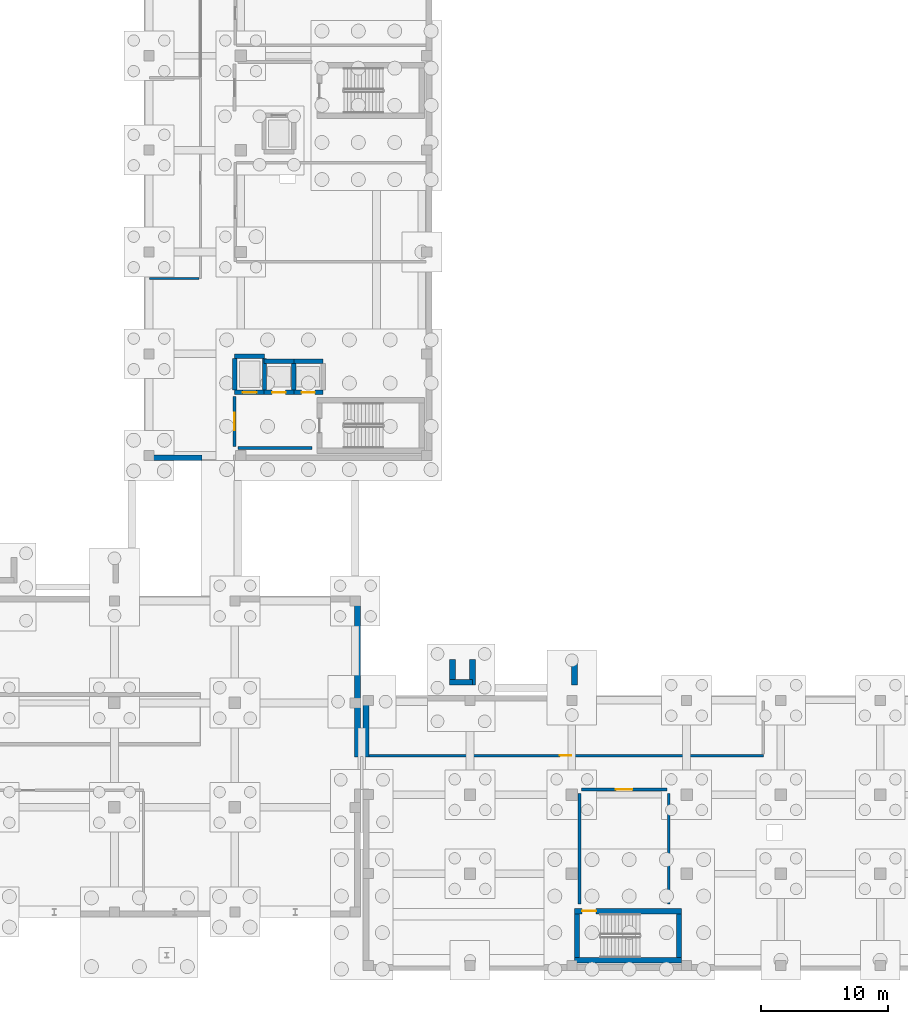
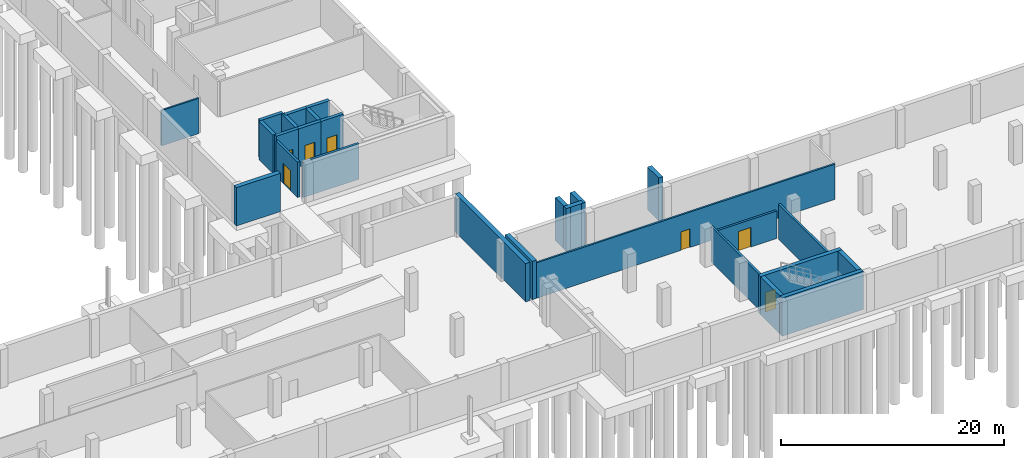
# One storey, part 18 of 31: 27 walls, 7 doors, 7 openings.
"""IFC4 building model written with IfcOpenShell, lengths in metres."""

from ifc_helpers import new_model, si_unit, direction, frame, frame_2d, origin, place, context, subcontext, project, spatial, rectangle, extrude, material, layer, layer_set, type_object, element, fill, save


model = new_model("IFC4")

# Units and contexts
model_context = context("Model", 3, precision=1e-05, world=origin(), true_north=direction((0.0, 1.0)))
body_context = subcontext(model_context, "Body", "Model", "MODEL_VIEW")
ifc_project = project(units=[si_unit("LENGTHUNIT", "METRE"), si_unit("AREAUNIT", "SQUARE_METRE"), si_unit("VOLUMEUNIT", "CUBIC_METRE"), si_unit("PLANEANGLEUNIT", "RADIAN"), si_unit("MASSUNIT", "GRAM", prefix="KILO")], contexts=[model_context])

# Site, building, storey
site_placement = place(None, origin())
site = spatial("IfcSite", under=ifc_project, at=site_placement, CompositionType="ELEMENT")
building_placement = place(site_placement, origin())
building = spatial("IfcBuilding", under=site, at=building_placement, Name="Qalavern Law Courts", CompositionType="ELEMENT")
storey_placement = place(building_placement, frame((0.0, 0.0, -8.39990234375)))
storey = spatial("IfcBuildingStorey", under=building, at=storey_placement, Name="B2", CompositionType="ELEMENT", Elevation=-8.39990234375)

# Walls
ifc_material_1 = material(Name="Concrete C35/45", Category="concrete")
ifc_layer_1 = layer(ifc_material_1, 0.4599609375)
ifc_layer_set_1 = layer_set([ifc_layer_1], Name="Concrete C35/45")
wall_type_1 = type_object("IfcWallType", Name="ENV-EW-RET460", PredefinedType="SOLIDWALL", material=ifc_layer_set_1)
wall_1_placement = place(storey_placement, frame((100.969970703125, 17.75, 0.0), z_axis=(0.0, 0.0, 1.0), x_axis=(0.0, 1.0, 0.0)))
element("IfcWall", 1, at=wall_1_placement, inside=storey, type_object=wall_type_1, Name="V2 basement retaining wall B2 east", PredefinedType="SOLIDWALL", context=body_context, shape_type="SweptSolid", body=[
    extrude(rectangle(XDim=12.64990234375, YDim=0.4599609375, at=frame_2d((6.324951171875, 0.0))), origin(), (0.0, 0.0, 1.0), 4.199951171875),
])
wall_2_placement = place(storey_placement, frame((84.199951171875, 41.25, 0.0), z_axis=(0.0, 0.0, 1.0), x_axis=(1.0, 0.0, 0.0)))
element("IfcWall", 2, at=wall_2_placement, inside=storey, type_object=wall_type_1, Name="V4 basement retaining wall B2 south", PredefinedType="SOLIDWALL", context=body_context, shape_type="SweptSolid", body=[
    extrude(rectangle(XDim=4.550048828125, YDim=0.4599609375, at=frame_2d((2.27490234375, 0.0))), origin(), (0.0, 0.0, 1.0), 4.199951171875),
])
wall_3_placement = place(storey_placement, frame((101.64990234375, 22.60009765625, 0.0), z_axis=(0.0, 0.0, 1.0), x_axis=(0.0, -1.0, 0.0)))
element("IfcWall", 3, at=wall_3_placement, inside=storey, type_object=wall_type_1, Name="V6 basement retaining wall B2 west", PredefinedType="SOLIDWALL", context=body_context, shape_type="SweptSolid", body=[
    extrude(rectangle(XDim=4.85009765625, YDim=0.4599609375, at=frame_2d((2.425048828125, 0.0))), origin(), (0.0, 0.0, 1.0), 4.199951171875),
])
ifc_material_2 = material(Name="Concrete C45/55", Category="concrete")
ifc_layer_2 = layer(ifc_material_2, 0.4150390625)
ifc_layer_set_2 = layer_set([ifc_layer_2], Name="Concrete C45/55")
wall_type_2 = type_object("IfcWallType", Name="INT-CW-415", PredefinedType="SHEAR", material=ifc_layer_set_2)
wall_4_placement = place(storey_placement, frame((117.985107421875, 1.79248046875, 0.0), z_axis=(0.0, 0.0, 1.0), x_axis=(1.0, 0.0, 0.0)))
element("IfcWall", 4, at=wall_4_placement, inside=storey, type_object=wall_type_2, Name="Core K5 stair shear wall B2 south", PredefinedType="SHEAR", context=body_context, shape_type="SweptSolid", body=[
    extrude(rectangle(XDim=8.429931640625, YDim=0.4150390625, at=frame_2d((4.21484375, 0.0))), origin(), (0.0, 0.0, 1.0), 4.199951171875),
])
wall_5_placement = place(storey_placement, frame((126.20751953125, 2.0, 0.0), z_axis=(0.0, 0.0, 1.0), x_axis=(0.0, 1.0, 0.0)))
element("IfcWall", 5, at=wall_5_placement, inside=storey, type_object=wall_type_2, Name="Core K5 stair shear wall B2 east", PredefinedType="SHEAR", context=body_context, shape_type="SweptSolid", body=[
    extrude(rectangle(XDim=3.449951171875, YDim=0.4150390625, at=frame_2d((1.72509765625, 0.0))), origin(), (0.0, 0.0, 1.0), 4.199951171875),
])

# Wall, opening, door
wall_6_placement = place(storey_placement, frame((126.4150390625, 5.657470703125, 0.0), z_axis=(0.0, 0.0, 1.0), x_axis=(-1.0, 0.0, 0.0)))
wall_6 = element("IfcWall", 6, at=wall_6_placement, inside=storey, type_object=wall_type_2, Name="Core K5 stair shear wall B2 north", PredefinedType="SHEAR", context=body_context, shape_type="SweptSolid", body=[
    extrude(rectangle(XDim=8.429931640625, YDim=0.4150390625, at=frame_2d((4.21484375, 0.0))), origin(), (0.0, 0.0, 1.0), 4.199951171875),
])
opening_1_placement = place(wall_6_placement, frame((6.715087890625, 0.0, 0.0)))
opening_1 = element("IfcOpeningElement", 7, at=opening_1_placement, cuts=wall_6, Name="Opening B2-D101", PredefinedType="OPENING", context=body_context, shape_type="SweptSolid", body=[
    extrude(rectangle(XDim=1.10009765625, YDim=2.14990234375, at=frame_2d((0.550048828125, 1.074951171875))), frame((0.0, 0.222412109375, 0.0), z_axis=(0.0, -1.0, 0.0), x_axis=(1.0, 0.0, 0.0)), (0.0, 0.0, 1.0), 0.44482421875),
])
ifc_material_3 = material(Name="Steel fire-rated stair enclosure door", Category="steel")
door_type_1 = type_object("IfcDoorType", Name="INT-FD-1100x2150", OperationType="NOTDEFINED", PredefinedType="DOOR", material=ifc_material_3)
door_1_placement = place(opening_1_placement, frame((1.10009765625, 0.0, 0.0), z_axis=(0.0, 0.0, 1.0), x_axis=(-1.0, 0.0, 0.0)))
door_1 = element("IfcDoor", 8, at=door_1_placement, inside=storey, type_object=door_type_1, Name="Stair K5 fire door B2", OperationType="SINGLE_SWING_LEFT", OverallHeight=2.14990234375, OverallWidth=1.10009765625, PredefinedType="DOOR", context=body_context, shape_type="SweptSolid", body=[
    extrude(rectangle(XDim=1.10009765625, YDim=2.14990234375, at=frame_2d((0.550048828125, 1.074951171875))), frame((0.0, 0.02490234375, 0.0), z_axis=(0.0, -1.0, 0.0), x_axis=(1.0, 0.0, 0.0)), (0.0, 0.0, 1.0), 0.050048828125),
])
fill(opening_1, door_1)

# Wall
wall_7_placement = place(storey_placement, frame((118.1923828125, 5.449951171875, 0.0), z_axis=(0.0, 0.0, 1.0), x_axis=(0.0, -1.0, 0.0)))
element("IfcWall", 9, at=wall_7_placement, inside=storey, type_object=wall_type_2, Name="Core K5 stair shear wall B2 west", PredefinedType="SHEAR", context=body_context, shape_type="SweptSolid", body=[
    extrude(rectangle(XDim=3.449951171875, YDim=0.4150390625, at=frame_2d((1.72509765625, 0.0))), origin(), (0.0, 0.0, 1.0), 4.199951171875),
])

# Wall, opening, door
ifc_material_4 = material(Name="Concrete C40/50", Category="concrete")
ifc_layer_3 = layer(ifc_material_4, 0.22509765625)
ifc_layer_set_3 = layer_set([ifc_layer_3], Name="Concrete C40/50")
wall_type_3 = type_object("IfcWallType", Name="INT-FW-225", PredefinedType="PARTITIONING", material=ifc_layer_set_3)
wall_8_placement = place(storey_placement, frame((118.550048828125, 15.199951171875, 0.0), z_axis=(0.0, 0.0, 1.0), x_axis=(1.0, 0.0, 0.0)))
wall_8 = element("IfcWall", 10, at=wall_8_placement, inside=storey, type_object=wall_type_3, Name="Core K5 firefighting/stair lobby fire wall B2", PredefinedType="PARTITIONING", context=body_context, shape_type="SweptSolid", body=[
    extrude(rectangle(XDim=6.699951171875, YDim=0.22509765625, at=frame_2d((3.35009765625, 0.0))), origin(), (0.0, 0.0, 1.0), 3.010009765625),
])
opening_2_placement = place(wall_8_placement, frame((2.699951171875, 0.0, 0.0)))
opening_2 = element("IfcOpeningElement", 11, at=opening_2_placement, cuts=wall_8, Name="Opening B2-D102", PredefinedType="OPENING", context=body_context, shape_type="SweptSolid", body=[
    extrude(rectangle(XDim=1.300048828125, YDim=2.14990234375, at=frame_2d((0.64990234375, 1.074951171875))), frame((0.0, 0.12744140625, 0.0), z_axis=(0.0, -1.0, 0.0), x_axis=(1.0, 0.0, 0.0)), (0.0, 0.0, 1.0), 0.2548828125),
])
ifc_material_5 = material(Name="Steel fire-rated frame and acoustic timber leaves", Category="steel")
door_type_2 = type_object("IfcDoorType", Name="INT-FD-1300x2150", OperationType="DOUBLE_DOOR_SINGLE_SWING", PredefinedType="DOOR", material=ifc_material_5)
door_2_placement = place(opening_2_placement, origin())
door_2 = element("IfcDoor", 12, at=door_2_placement, inside=storey, type_object=door_type_2, Name="Core K5 lobby fire door B2", OperationType="DOUBLE_DOOR_SINGLE_SWING", OverallHeight=2.14990234375, OverallWidth=1.300048828125, PredefinedType="DOOR", context=body_context, shape_type="SweptSolid", body=[
    extrude(rectangle(XDim=1.300048828125, YDim=2.14990234375, at=frame_2d((0.64990234375, 1.074951171875))), frame((0.0, 0.02490234375, 0.0), z_axis=(0.0, -1.0, 0.0), x_axis=(1.0, 0.0, 0.0)), (0.0, 0.0, 1.0), 0.050048828125),
])
fill(opening_2, door_2)

# Walls
for number, where, z_axis, x_axis, name in (
    (13, (118.39990234375, 6.199951171875, 0.0), (0.0, 0.0, 1.0), (0.0, 1.0, 0.0), "Core K5 lobby return wall B2 west"),
    (14, (125.39990234375, 6.199951171875, 0.0), (0.0, 0.0, 1.0), (0.0, 1.0, 0.0), "Core K5 lobby return wall B2 east"),
):
    element("IfcWall", number, at=place(storey_placement, frame(where, z_axis=z_axis, x_axis=x_axis)), inside=storey, type_object=wall_type_3, Name=name, PredefinedType="PARTITIONING", context=body_context, shape_type="SweptSolid", body=[
        extrude(rectangle(XDim=8.699951171875, YDim=0.22509765625, at=frame_2d((4.35009765625, 0.0))), origin(), (0.0, 0.0, 1.0), 3.8798828125),
    ])

# Wall, opening, door
ifc_layer_4 = layer(ifc_material_4, 0.2451171875)
ifc_layer_set_4 = layer_set([ifc_layer_4], Name="Concrete C40/50")
wall_type_4 = type_object("IfcWallType", Name="INT-FW-245", PredefinedType="PARTITIONING", material=ifc_layer_set_4)
wall_9_placement = place(storey_placement, frame((91.300048828125, 42.14990234375, 0.0), z_axis=(0.0, 0.0, 1.0), x_axis=(0.0, 1.0, 0.0)))
wall_9 = element("IfcWall", 15, at=wall_9_placement, inside=storey, type_object=wall_type_4, Name="Core K1A firefighting/stair lobby fire wall B2", PredefinedType="PARTITIONING", context=body_context, shape_type="SweptSolid", body=[
    extrude(rectangle(XDim=3.900146484375, YDim=0.2451171875, at=frame_2d((1.9501953125, 0.0))), origin(), (0.0, 0.0, 1.0), 3.8798828125),
])
opening_3_placement = place(wall_9_placement, frame((1.27490234375, 0.0, 0.0)))
opening_3 = element("IfcOpeningElement", 16, at=opening_3_placement, cuts=wall_9, Name="Opening B2-D002", PredefinedType="OPENING", context=body_context, shape_type="SweptSolid", body=[
    extrude(rectangle(XDim=1.35009765625, YDim=2.199951171875, at=frame_2d((0.675048828125, 1.10009765625))), frame((0.0, 0.137451171875, 0.0), z_axis=(0.0, -1.0, 0.0), x_axis=(1.0, 0.0, 0.0)), (0.0, 0.0, 1.0), 0.27490234375),
])
door_type_3 = type_object("IfcDoorType", Name="INT-FD-1350x2200", OperationType="DOUBLE_DOOR_SINGLE_SWING", PredefinedType="DOOR", material=ifc_material_5)
door_3_placement = place(opening_3_placement, origin())
door_3 = element("IfcDoor", 17, at=door_3_placement, inside=storey, type_object=door_type_3, Name="Core K1A lobby fire door B2", OperationType="DOUBLE_DOOR_SINGLE_SWING", OverallHeight=2.199951171875, OverallWidth=1.35009765625, PredefinedType="DOOR", context=body_context, shape_type="SweptSolid", body=[
    extrude(rectangle(XDim=1.35009765625, YDim=2.199951171875, at=frame_2d((0.675048828125, 1.10009765625))), frame((0.0, 0.02490234375, 0.0), z_axis=(0.0, -1.0, 0.0), x_axis=(1.0, 0.0, 0.0)), (0.0, 0.0, 1.0), 0.050048828125),
])
fill(opening_3, door_3)

# Walls
wall_10_placement = place(storey_placement, frame((91.60009765625, 42.0, 0.0), z_axis=(0.0, 0.0, 1.0), x_axis=(1.0, 0.0, 0.0)))
element("IfcWall", 18, at=wall_10_placement, inside=storey, type_object=wall_type_4, Name="Core K1A lobby return wall B2 south", PredefinedType="PARTITIONING", context=body_context, shape_type="SweptSolid", body=[
    extrude(rectangle(XDim=5.7998046875, YDim=0.2451171875, at=frame_2d((2.89990234375, 0.0))), origin(), (0.0, 0.0, 1.0), 3.8798828125),
])
ifc_material_6 = material(Name="Gypsum acoustic stud partition")
ifc_layer_5 = layer(ifc_material_6, 0.174072265625)
ifc_layer_set_5 = layer_set([ifc_layer_5], Name="Gypsum acoustic stud partition")
wall_type_5 = type_object("IfcWallType", Name="INT-PW-174", PredefinedType="PARTITIONING", material=ifc_layer_set_5)
wall_11_placement = place(storey_placement, frame((84.639892578125, 55.327880859375, 0.0), z_axis=(0.0, 0.0, 1.0), x_axis=(1.0, 0.0, 0.0)))
element("IfcWall", 19, at=wall_11_placement, inside=storey, type_object=wall_type_5, Name="Civil Court Archive Stacks cross partition B2 south", PredefinedType="PARTITIONING", context=body_context, shape_type="SweptSolid", body=[
    extrude(rectangle(XDim=3.89306640625, YDim=0.174072265625, at=frame_2d((1.946533203125, 0.0))), origin(), (0.0, 0.0, 1.0), 3.8798828125),
])

# Wall, opening, door
ifc_layer_6 = layer(ifc_material_6, 0.18603515625)
ifc_layer_set_6 = layer_set([ifc_layer_6], Name="Gypsum acoustic stud partition")
wall_type_6 = type_object("IfcWallType", Name="INT-PW-186", PredefinedType="PARTITIONING", material=ifc_layer_set_6)
wall_12_placement = place(storey_placement, frame((101.800048828125, 17.860107421875, 0.0), z_axis=(0.0, 0.0, 1.0), x_axis=(1.0, 0.0, 0.0)))
wall_12 = element("IfcWall", 20, at=wall_12_placement, inside=storey, type_object=wall_type_6, Name="Ventilation AHU Plant corridor partition B2", PredefinedType="PARTITIONING", context=body_context, shape_type="SweptSolid", body=[
    extrude(rectangle(XDim=31.02490234375, YDim=0.18603515625, at=frame_2d((15.512451171875, 0.0))), origin(), (0.0, 0.0, 1.0), 3.8798828125),
])
opening_4_placement = place(wall_12_placement, frame((15.0576171875, 0.0, 0.0)))
opening_4 = element("IfcOpeningElement", 21, at=opening_4_placement, cuts=wall_12, Name="Opening B2-D412", PredefinedType="OPENING", context=body_context, shape_type="SweptSolid", body=[
    extrude(rectangle(XDim=0.909912109375, YDim=2.0400390625, at=frame_2d((0.455078125, 1.02001953125))), frame((0.0, 0.10791015625, 0.0), z_axis=(0.0, -1.0, 0.0), x_axis=(1.0, 0.0, 0.0)), (0.0, 0.0, 1.0), 0.2158203125),
])
ifc_material_7 = material(Name="Steel MEP Plant Room door", Category="steel")
door_type_4 = type_object("IfcDoorType", Name="INT-ID-910x2040", OperationType="NOTDEFINED", PredefinedType="DOOR", material=ifc_material_7)
door_4_placement = place(opening_4_placement, origin())
door_4 = element("IfcDoor", 22, at=door_4_placement, inside=storey, type_object=door_type_4, Name="Ventilation AHU Plant door B2", OperationType="SINGLE_SWING_LEFT", OverallHeight=2.0400390625, OverallWidth=0.909912109375, PredefinedType="DOOR", context=body_context, shape_type="SweptSolid", body=[
    extrude(rectangle(XDim=0.909912109375, YDim=2.0400390625, at=frame_2d((0.455078125, 1.02001953125))), frame((0.0, 0.02490234375, 0.0), z_axis=(0.0, -1.0, 0.0), x_axis=(1.0, 0.0, 0.0)), (0.0, 0.0, 1.0), 0.050048828125),
])
fill(opening_4, door_4)

ifc_layer_7 = layer(ifc_material_2, 0.344970703125)
ifc_layer_set_7 = layer_set([ifc_layer_7], Name="Concrete C45/55")
wall_type_7 = type_object("IfcWallType", Name="INT-SW-345", PredefinedType="SHEAR", material=ifc_layer_set_7)
wall_13_placement = place(storey_placement, frame((91.327392578125, 46.37744140625, 0.0), z_axis=(0.0, 0.0, 1.0), x_axis=(1.0, 0.0, 0.0)))
wall_13 = element("IfcWall", 23, at=wall_13_placement, inside=storey, type_object=wall_type_7, Name="Lift LF-FF1 shaft wall B2 south", PredefinedType="SHEAR", context=body_context, shape_type="SweptSolid", body=[
    extrude(rectangle(XDim=2.34521484375, YDim=0.344970703125, at=frame_2d((1.172607421875, 0.0))), origin(), (0.0, 0.0, 1.0), 4.199951171875),
])
opening_5_placement = place(wall_13_placement, frame((0.62255859375, 0.0, 0.0)))
opening_5 = element("IfcOpeningElement", 24, at=opening_5_placement, cuts=wall_13, Name="Opening LD-LF-FF1-B2", PredefinedType="OPENING", context=body_context, shape_type="SweptSolid", body=[
    extrude(rectangle(XDim=1.10009765625, YDim=2.159912109375, at=frame_2d((0.550048828125, 1.080078125))), frame((0.0, 0.1875, 0.0), z_axis=(0.0, -1.0, 0.0), x_axis=(1.0, 0.0, 0.0)), (0.0, 0.0, 1.0), 0.374755859375),
])
ifc_material_8 = material(Name="Stainless steel firefighting lift sliding landing door", Category="steel")
door_type_5 = type_object("IfcDoorType", Name="INT-LD-1100x2160", OperationType="DOUBLE_DOOR_SLIDING", PredefinedType="DOOR", material=ifc_material_8)
door_5_placement = place(opening_5_placement, origin())
door_5 = element("IfcDoor", 25, at=door_5_placement, inside=storey, type_object=door_type_5, Name="Lift LF-FF1 sliding landing door B2", OperationType="DOUBLE_DOOR_SLIDING", OverallHeight=2.159912109375, OverallWidth=1.10009765625, PredefinedType="DOOR", context=body_context, shape_type="SweptSolid", body=[
    extrude(rectangle(XDim=1.10009765625, YDim=2.159912109375, at=frame_2d((0.550048828125, 1.080078125))), frame((0.0, 0.02490234375, 0.0), z_axis=(0.0, -1.0, 0.0), x_axis=(1.0, 0.0, 0.0)), (0.0, 0.0, 1.0), 0.050048828125),
])
fill(opening_5, door_5)

# Walls
wall_14_placement = place(storey_placement, frame((93.672607421875, 46.550048828125, 0.0), z_axis=(0.0, 0.0, 1.0), x_axis=(0.0, 1.0, 0.0)))
element("IfcWall", 26, at=wall_14_placement, inside=storey, type_object=wall_type_7, Name="Lift LF-FF1 shaft wall B2 east", PredefinedType="SHEAR", context=body_context, shape_type="SweptSolid", body=[
    extrude(rectangle(XDim=2.5, YDim=0.344970703125, at=frame_2d((1.25, 0.0))), origin(), (0.0, 0.0, 1.0), 4.199951171875),
])
wall_15_placement = place(storey_placement, frame((93.672607421875, 49.222412109375, 0.0), z_axis=(0.0, 0.0, 1.0), x_axis=(-1.0, 0.0, 0.0)))
element("IfcWall", 27, at=wall_15_placement, inside=storey, type_object=wall_type_7, Name="Lift LF-FF1 shaft wall B2 north", PredefinedType="SHEAR", context=body_context, shape_type="SweptSolid", body=[
    extrude(rectangle(XDim=2.34521484375, YDim=0.344970703125, at=frame_2d((1.172607421875, 0.0))), origin(), (0.0, 0.0, 1.0), 4.199951171875),
])
wall_16_placement = place(storey_placement, frame((91.327392578125, 49.050048828125, 0.0), z_axis=(0.0, 0.0, 1.0), x_axis=(0.0, -1.0, 0.0)))
element("IfcWall", 28, at=wall_16_placement, inside=storey, type_object=wall_type_7, Name="Lift LF-FF1 shaft wall B2 west", PredefinedType="SHEAR", context=body_context, shape_type="SweptSolid", body=[
    extrude(rectangle(XDim=2.5, YDim=0.344970703125, at=frame_2d((1.25, 0.0))), origin(), (0.0, 0.0, 1.0), 4.199951171875),
])

# Wall, opening, door
wall_17_placement = place(storey_placement, frame((93.62744140625, 46.37744140625, 0.0), z_axis=(0.0, 0.0, 1.0), x_axis=(1.0, 0.0, 0.0)))
wall_17 = element("IfcWall", 29, at=wall_17_placement, inside=storey, type_object=wall_type_7, Name="Lift LF-P1 shaft wall B2 south", PredefinedType="SHEAR", context=body_context, shape_type="SweptSolid", body=[
    extrude(rectangle(XDim=2.344970703125, YDim=0.344970703125, at=frame_2d((1.17236328125, 0.0))), origin(), (0.0, 0.0, 1.0), 4.199951171875),
])
opening_6_placement = place(wall_17_placement, frame((0.6474609375, 0.0, 0.0)))
opening_6 = element("IfcOpeningElement", 30, at=opening_6_placement, cuts=wall_17, Name="Opening LD-LF-P1-B2", PredefinedType="OPENING", context=body_context, shape_type="SweptSolid", body=[
    extrude(rectangle(XDim=1.050048828125, YDim=2.14990234375, at=frame_2d((0.52490234375, 1.074951171875))), frame((0.0, 0.1875, 0.0), z_axis=(0.0, -1.0, 0.0), x_axis=(1.0, 0.0, 0.0)), (0.0, 0.0, 1.0), 0.374755859375),
])
ifc_material_9 = material(Name="Brushed stainless steel passenger lift sliding landing door", Category="steel")
door_type_6 = type_object("IfcDoorType", Name="INT-LD-1050x2150", OperationType="DOUBLE_DOOR_SLIDING", PredefinedType="DOOR", material=ifc_material_9)
door_6_placement = place(opening_6_placement, origin())
door_6 = element("IfcDoor", 31, at=door_6_placement, inside=storey, type_object=door_type_6, Name="Lift LF-P1 sliding landing door B2", OperationType="DOUBLE_DOOR_SLIDING", OverallHeight=2.14990234375, OverallWidth=1.050048828125, PredefinedType="DOOR", context=body_context, shape_type="SweptSolid", body=[
    extrude(rectangle(XDim=1.050048828125, YDim=2.14990234375, at=frame_2d((0.52490234375, 1.074951171875))), frame((0.0, 0.02490234375, 0.0), z_axis=(0.0, -1.0, 0.0), x_axis=(1.0, 0.0, 0.0)), (0.0, 0.0, 1.0), 0.050048828125),
])
fill(opening_6, door_6)

# Walls
wall_18_placement = place(storey_placement, frame((95.972412109375, 46.550048828125, 0.0), z_axis=(0.0, 0.0, 1.0), x_axis=(0.0, 1.0, 0.0)))
element("IfcWall", 32, at=wall_18_placement, inside=storey, type_object=wall_type_7, Name="Lift LF-P1 shaft wall B2 east", PredefinedType="SHEAR", context=body_context, shape_type="SweptSolid", body=[
    extrude(rectangle(XDim=2.099853515625, YDim=0.344970703125, at=frame_2d((1.0498046875, 0.0))), origin(), (0.0, 0.0, 1.0), 4.199951171875),
])
wall_19_placement = place(storey_placement, frame((95.972412109375, 48.822509765625, 0.0), z_axis=(0.0, 0.0, 1.0), x_axis=(-1.0, 0.0, 0.0)))
element("IfcWall", 33, at=wall_19_placement, inside=storey, type_object=wall_type_7, Name="Lift LF-P1 shaft wall B2 north", PredefinedType="SHEAR", context=body_context, shape_type="SweptSolid", body=[
    extrude(rectangle(XDim=2.344970703125, YDim=0.344970703125, at=frame_2d((1.17236328125, 0.0))), origin(), (0.0, 0.0, 1.0), 4.199951171875),
])

# Wall, opening, door
wall_20_placement = place(storey_placement, frame((95.927490234375, 46.37744140625, 0.0), z_axis=(0.0, 0.0, 1.0), x_axis=(1.0, 0.0, 0.0)))
wall_20 = element("IfcWall", 34, at=wall_20_placement, inside=storey, type_object=wall_type_7, Name="Lift LF-P2 shaft wall B2 south", PredefinedType="SHEAR", context=body_context, shape_type="SweptSolid", body=[
    extrude(rectangle(XDim=2.344970703125, YDim=0.344970703125, at=frame_2d((1.17236328125, 0.0))), origin(), (0.0, 0.0, 1.0), 4.199951171875),
])
opening_7_placement = place(wall_20_placement, frame((0.6474609375, 0.0, 0.0)))
opening_7 = element("IfcOpeningElement", 35, at=opening_7_placement, cuts=wall_20, Name="Opening LD-LF-P2-B2", PredefinedType="OPENING", context=body_context, shape_type="SweptSolid", body=[
    extrude(rectangle(XDim=1.050048828125, YDim=2.14990234375, at=frame_2d((0.52490234375, 1.074951171875))), frame((0.0, 0.1875, 0.0), z_axis=(0.0, -1.0, 0.0), x_axis=(1.0, 0.0, 0.0)), (0.0, 0.0, 1.0), 0.374755859375),
])
door_7_placement = place(opening_7_placement, origin())
door_7 = element("IfcDoor", 36, at=door_7_placement, inside=storey, type_object=door_type_6, Name="Lift LF-P2 sliding landing door B2", OperationType="DOUBLE_DOOR_SLIDING", OverallHeight=2.14990234375, OverallWidth=1.050048828125, PredefinedType="DOOR", context=body_context, shape_type="SweptSolid", body=[
    extrude(rectangle(XDim=1.050048828125, YDim=2.14990234375, at=frame_2d((0.52490234375, 1.074951171875))), frame((0.0, 0.02490234375, 0.0), z_axis=(0.0, -1.0, 0.0), x_axis=(1.0, 0.0, 0.0)), (0.0, 0.0, 1.0), 0.050048828125),
])
fill(opening_7, door_7)

# Walls
wall_21_placement = place(storey_placement, frame((98.2724609375, 48.822509765625, 0.0), z_axis=(0.0, 0.0, 1.0), x_axis=(-1.0, 0.0, 0.0)))
element("IfcWall", 37, at=wall_21_placement, inside=storey, type_object=wall_type_7, Name="Lift LF-P2 shaft wall B2 north", PredefinedType="SHEAR", context=body_context, shape_type="SweptSolid", body=[
    extrude(rectangle(XDim=2.344970703125, YDim=0.344970703125, at=frame_2d((1.17236328125, 0.0))), origin(), (0.0, 0.0, 1.0), 4.199951171875),
])
ifc_layer_8 = layer(ifc_material_1, 0.449951171875)
ifc_layer_set_8 = layer_set([ifc_layer_8], Name="Concrete C35/45")
wall_type_8 = type_object("IfcWallType", Name="STR-ABUT-450", PredefinedType="SOLIDWALL", material=ifc_layer_set_8)
for number, where, z_axis, x_axis, name in (
    (38, (108.425048828125, 23.39990234375, -0.5), (0.0, 0.0, 1.0), (0.0, 1.0, 0.0), "Pedestrian ramp 2 foundation abutment wall 1 B2"),
    (39, (110.0, 23.39990234375, -0.5), (0.0, 0.0, 1.0), (0.0, 1.0, 0.0), "Pedestrian ramp 2 foundation abutment wall 2 B2"),
    (40, (118.0, 23.39990234375, -0.5), (0.0, 0.0, 1.0), (0.0, 1.0, 0.0), "Pedestrian ramp 2 foundation abutment wall 3 B2"),
):
    element("IfcWall", number, at=place(storey_placement, frame(where, z_axis=z_axis, x_axis=x_axis)), inside=storey, type_object=wall_type_8, Name=name, PredefinedType="SOLIDWALL", context=body_context, shape_type="SweptSolid", body=[
        extrude(rectangle(XDim=2.0, YDim=0.449951171875, at=frame_2d((1.0, 0.0))), origin(), (0.0, 0.0, 1.0), 4.699951171875),
    ])
wall_22_placement = place(storey_placement, frame((108.199951171875, 23.625, -0.5), z_axis=(0.0, 0.0, 1.0), x_axis=(1.0, 0.0, 0.0)))
element("IfcWall", 41, at=wall_22_placement, inside=storey, type_object=wall_type_8, Name="Pedestrian ramp 2 landing side wall B2", PredefinedType="SOLIDWALL", context=body_context, shape_type="SweptSolid", body=[
    extrude(rectangle(XDim=1.800048828125, YDim=0.449951171875, at=frame_2d((0.89990234375, 0.0))), origin(), (0.0, 0.0, 1.0), 4.699951171875),
])

save(model, "model.ifc")
